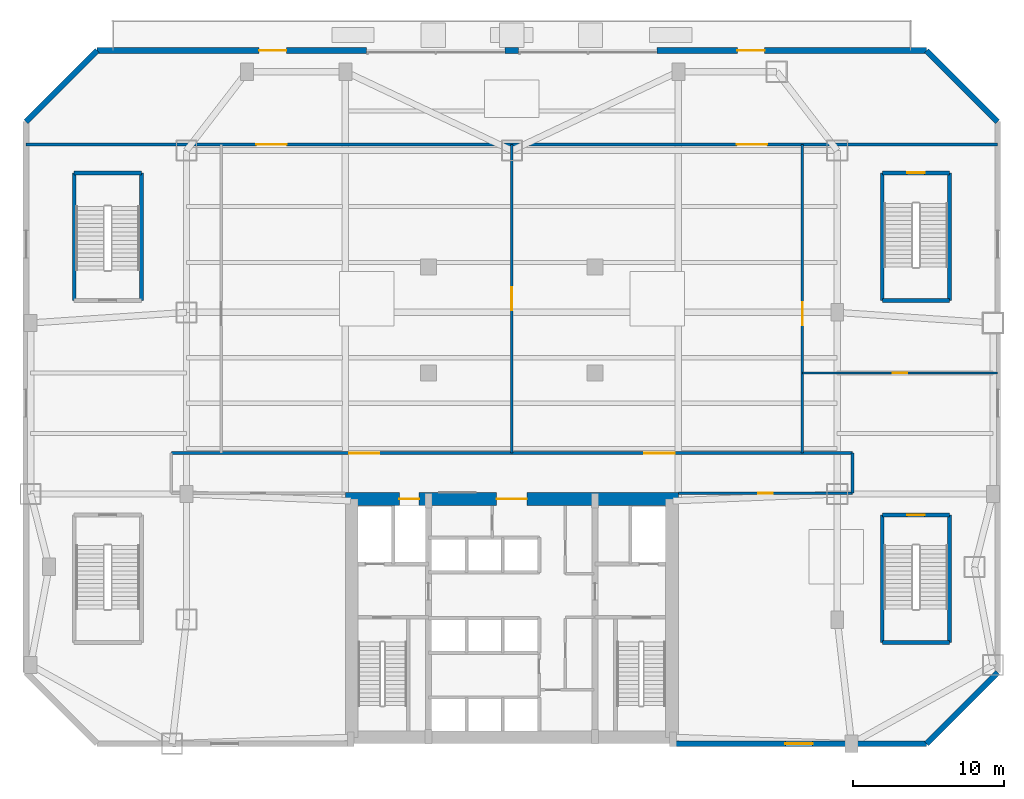
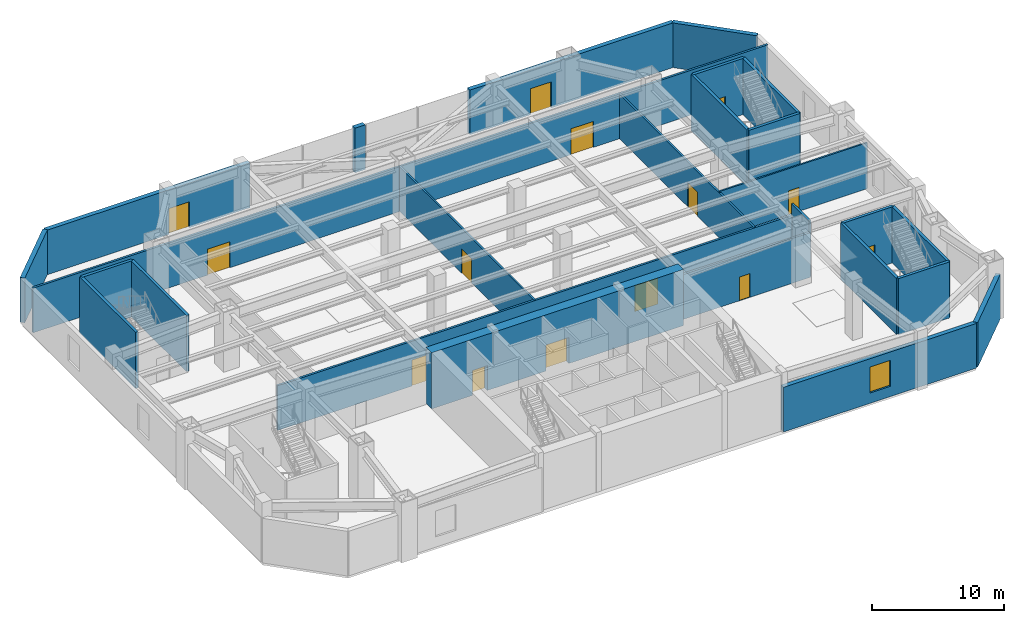
# One storey, part 5 of 9: 26 walls, 14 doors, 1 window, 15 openings.
"""IFC4 building model written with IfcOpenShell, lengths in metres."""

from ifc_helpers import new_model, si_unit, direction, frame, frame_2d, origin, place, context, subcontext, project, spatial, rectangle, extrude, source, transform, mapped, material, layer, layer_set, type_object, type_shapes, element, fill, save


model = new_model("IFC4")

# Units and contexts
model_context = context("Model", 3, precision=1e-05, world=origin(), true_north=direction((0.0, 1.0)))
body_context = subcontext(model_context, "Body", "Model", "MODEL_VIEW")
ifc_project = project(units=[si_unit("LENGTHUNIT", "METRE"), si_unit("AREAUNIT", "SQUARE_METRE"), si_unit("VOLUMEUNIT", "CUBIC_METRE"), si_unit("PLANEANGLEUNIT", "RADIAN"), si_unit("MASSUNIT", "GRAM", prefix="KILO")], contexts=[model_context])

# Site, building, storey
site_placement = place(None, origin())
site = spatial("IfcSite", under=ifc_project, at=site_placement, CompositionType="ELEMENT")
building_placement = place(site_placement, origin())
building = spatial("IfcBuilding", under=site, at=building_placement, Name="Varnakhor Terracotta Tower", CompositionType="ELEMENT")
storey_placement = place(building_placement, frame((0.0, 0.0, 11.0)))
storey = spatial("IfcBuildingStorey", under=building, at=storey_placement, Name="L02", CompositionType="ELEMENT", Elevation=11.0)

# Wall, openings, doors
ifc_material_1 = material(Name="Concrete C60/75", Category="concrete")
ifc_layer_1 = layer(ifc_material_1, 0.85009765625, Name="Concrete C60/75")
ifc_layer_set_1 = layer_set([ifc_layer_1], Name="Concrete C60/75")
wall_type_1 = type_object("IfcWallType", Name="WAL-CORE-850", PredefinedType="SHEAR", material=ifc_layer_set_1)
wall_1_placement = place(storey_placement, frame((-11.0, 16.175048828125, 0.0), z_axis=(0.0, 0.0, 1.0), x_axis=(1.0, 0.0, 0.0)))
wall_1 = element("IfcWall", 1, at=wall_1_placement, inside=storey, type_object=wall_type_1, Name="L02 North Core Shear Wall", PredefinedType="SHEAR", context=body_context, shape_type="SweptSolid", body=[
    extrude(rectangle(XDim=22.0, YDim=0.85009765625, at=frame_2d((11.0, 0.0))), origin(), (0.0, 0.0, 1.0), 5.18505859375),
])
opening_1_placement = place(wall_1_placement, frame((3.570068359375, 0.0, 0.0)))
opening_1 = element("IfcOpeningElement", 2, at=opening_1_placement, cuts=wall_1, Name="Opening LD-03", PredefinedType="OPENING", context=body_context, shape_type="SweptSolid", body=[
    extrude(rectangle(XDim=1.300048828125, YDim=2.300048828125, at=frame_2d((0.64990234375, 1.14990234375))), frame((0.0, 0.43505859375, 0.0), z_axis=(0.0, -1.0, 0.0), x_axis=(1.0, 0.0, 0.0)), (0.0, 0.0, 1.0), 0.8701171875),
])
opening_2_placement = place(wall_1_placement, frame((10.0, 0.0, 0.0)))
opening_2 = element("IfcOpeningElement", 3, at=opening_2_placement, cuts=wall_1, Name="Opening DR-32", PredefinedType="OPENING", context=body_context, shape_type="SweptSolid", body=[
    extrude(rectangle(XDim=2.0, YDim=2.39990234375, at=frame_2d((1.0, 1.199951171875))), frame((0.0, 0.43505859375, 0.0), z_axis=(0.0, -1.0, 0.0), x_axis=(1.0, 0.0, 0.0)), (0.0, 0.0, 1.0), 0.8701171875),
])
ifc_material_2 = material(Name="Heavy-Duty Goods Sliding Lift Landing Door", Category="steel")
door_type_1 = type_object("IfcDoorType", Name="LD-SRV-1300X2300", OperationType="NOTDEFINED", PredefinedType="DOOR", material=ifc_material_2)
shared_shape_1 = source(origin(), body_context, "Body", "SweptSolid", [
    extrude(rectangle(XDim=1.300048828125, YDim=2.300048828125, at=frame_2d((0.64990234375, 1.14990234375))), frame((0.0, 0.02490234375, 0.0), z_axis=(0.0, -1.0, 0.0), x_axis=(1.0, 0.0, 0.0)), (0.0, 0.0, 1.0), 0.050048828125),
])
type_shapes(door_type_1, [shared_shape_1])
door_1_placement = place(opening_1_placement, origin())
door_1 = element("IfcDoor", 4, at=door_1_placement, inside=storey, type_object=door_type_1, Name="L02 Service Lift SVL-1 Landing Door", OperationType="SLIDING_TO_RIGHT", OverallHeight=2.300048828125, OverallWidth=1.300048828125, PredefinedType="DOOR", context=body_context, shape_type="MappedRepresentation", body=[
    mapped(shared_shape_1, transform((0.0, 0.0, 0.0), scale=1.0)),
])
fill(opening_1, door_1)
ifc_material_3 = material(Name="Acoustic Double Assembly Fire Door", Category="wood")
door_type_2 = type_object("IfcDoorType", Name="DR-HALL-2000X2400", OperationType="NOTDEFINED", PredefinedType="DOOR", material=ifc_material_3)
shared_shape_2 = source(origin(), body_context, "Body", "SweptSolid", [
    extrude(rectangle(XDim=2.0, YDim=2.39990234375, at=frame_2d((1.0, 1.199951171875))), frame((0.0, 0.02490234375, 0.0), z_axis=(0.0, -1.0, 0.0), x_axis=(1.0, 0.0, 0.0)), (0.0, 0.0, 1.0), 0.050048828125),
])
type_shapes(door_type_2, [shared_shape_2])
door_2_placement = place(opening_2_placement, origin())
door_2 = element("IfcDoor", 5, at=door_2_placement, inside=storey, type_object=door_type_2, Name="L02 Core Main Lobby Double Door", OperationType="DOUBLE_DOOR_SINGLE_SWING", OverallHeight=2.39990234375, OverallWidth=2.0, PredefinedType="DOOR", context=body_context, shape_type="MappedRepresentation", body=[
    mapped(shared_shape_2, transform((0.0, 0.0, 0.0), scale=1.0)),
])
fill(opening_2, door_2)

ifc_material_4 = material(Name="Fire-Rated Gypsum Stud Partition", Category="gypsum")
ifc_layer_2 = layer(ifc_material_4, 0.18505859375, Name="Fire-Rated Gypsum Stud Partition")
ifc_layer_set_2 = layer_set([ifc_layer_2], Name="Fire-Rated Gypsum Stud Partition")
wall_type_2 = type_object("IfcWallType", Name="WAL-CORR-185", PredefinedType="PARTITIONING", material=ifc_layer_set_2)
wall_2_placement = place(storey_placement, frame((-32.090087890625, 39.60009765625, 0.0), z_axis=(0.0, 0.0, 1.0), x_axis=(1.0, 0.0, 0.0)))
wall_2 = element("IfcWall", 6, at=wall_2_placement, inside=storey, type_object=wall_type_2, Name="L02 Pre-Function Lounge Wall", PredefinedType="PARTITIONING", context=body_context, shape_type="SweptSolid", body=[
    extrude(rectangle(XDim=64.18017578125, YDim=0.18505859375, at=frame_2d((32.090087890625, 0.0))), origin(), (0.0, 0.0, 1.0), 4.136962890625),
])
opening_3_placement = place(wall_2_placement, frame((15.215087890625, 0.0, 0.0)))
opening_3 = element("IfcOpeningElement", 7, at=opening_3_placement, cuts=wall_2, Name="Opening DR-32", PredefinedType="OPENING", context=body_context, shape_type="SweptSolid", body=[
    extrude(rectangle(XDim=2.0, YDim=2.39990234375, at=frame_2d((1.0, 1.199951171875))), frame((0.0, 0.1025390625, 0.0), z_axis=(0.0, -1.0, 0.0), x_axis=(1.0, 0.0, 0.0)), (0.0, 0.0, 1.0), 0.205078125),
])
opening_4_placement = place(wall_2_placement, frame((46.965087890625, 0.0, 0.0)))
opening_4 = element("IfcOpeningElement", 8, at=opening_4_placement, cuts=wall_2, Name="Opening DR-32", PredefinedType="OPENING", context=body_context, shape_type="SweptSolid", body=[
    extrude(rectangle(XDim=2.0, YDim=2.39990234375, at=frame_2d((1.0, 1.199951171875))), frame((0.0, 0.1025390625, 0.0), z_axis=(0.0, -1.0, 0.0), x_axis=(1.0, 0.0, 0.0)), (0.0, 0.0, 1.0), 0.205078125),
])
door_3_placement = place(opening_3_placement, origin())
door_3 = element("IfcDoor", 9, at=door_3_placement, inside=storey, type_object=door_type_2, Name="L02 Hall North Door W", OperationType="DOUBLE_DOOR_SINGLE_SWING", OverallHeight=2.39990234375, OverallWidth=2.0, PredefinedType="DOOR", context=body_context, shape_type="MappedRepresentation", body=[
    mapped(shared_shape_2, transform((0.0, 0.0, 0.0), scale=1.0)),
])
fill(opening_3, door_3)
door_4_placement = place(opening_4_placement, origin())
door_4 = element("IfcDoor", 10, at=door_4_placement, inside=storey, type_object=door_type_2, Name="L02 Hall North Door E", OperationType="DOUBLE_DOOR_SINGLE_SWING", OverallHeight=2.39990234375, OverallWidth=2.0, PredefinedType="DOOR", context=body_context, shape_type="MappedRepresentation", body=[
    mapped(shared_shape_2, transform((0.0, 0.0, 0.0), scale=1.0)),
])
fill(opening_4, door_4)

wall_3_placement = place(storey_placement, frame((-22.5, 19.199951171875, 0.0), z_axis=(0.0, 0.0, 1.0), x_axis=(1.0, 0.0, 0.0)))
wall_3 = element("IfcWall", 11, at=wall_3_placement, inside=storey, type_object=wall_type_2, Name="L02 South Assembly Corridor Wall", PredefinedType="PARTITIONING", context=body_context, shape_type="SweptSolid", body=[
    extrude(rectangle(XDim=45.0, YDim=0.18505859375, at=frame_2d((22.5, 0.0))), origin(), (0.0, 0.0, 1.0), 4.136962890625),
])
opening_5_placement = place(wall_3_placement, frame((11.74951171875, 0.0, 0.0)))
opening_5 = element("IfcOpeningElement", 12, at=opening_5_placement, cuts=wall_3, Name="Opening DR-32", PredefinedType="OPENING", context=body_context, shape_type="SweptSolid", body=[
    extrude(rectangle(XDim=2.0, YDim=2.39990234375, at=frame_2d((1.0, 1.199951171875))), frame((0.0, 0.1025390625, 0.0), z_axis=(0.0, -1.0, 0.0), x_axis=(1.0, 0.0, 0.0)), (0.0, 0.0, 1.0), 0.205078125),
])
opening_6_placement = place(wall_3_placement, frame((31.25048828125, 0.0, 0.0)))
opening_6 = element("IfcOpeningElement", 13, at=opening_6_placement, cuts=wall_3, Name="Opening DR-32", PredefinedType="OPENING", context=body_context, shape_type="SweptSolid", body=[
    extrude(rectangle(XDim=2.0, YDim=2.39990234375, at=frame_2d((1.0, 1.199951171875))), frame((0.0, 0.1025390625, 0.0), z_axis=(0.0, -1.0, 0.0), x_axis=(1.0, 0.0, 0.0)), (0.0, 0.0, 1.0), 0.205078125),
])
door_5_placement = place(opening_5_placement, origin())
door_5 = element("IfcDoor", 14, at=door_5_placement, inside=storey, type_object=door_type_2, Name="L02 Hall South Door W", OperationType="DOUBLE_DOOR_SINGLE_SWING", OverallHeight=2.39990234375, OverallWidth=2.0, PredefinedType="DOOR", context=body_context, shape_type="MappedRepresentation", body=[
    mapped(shared_shape_2, transform((0.0, 0.0, 0.0), scale=1.0)),
])
fill(opening_5, door_5)
door_6_placement = place(opening_6_placement, origin())
door_6 = element("IfcDoor", 15, at=door_6_placement, inside=storey, type_object=door_type_2, Name="L02 Hall South Door E", OperationType="DOUBLE_DOOR_SINGLE_SWING", OverallHeight=2.39990234375, OverallWidth=2.0, PredefinedType="DOOR", context=body_context, shape_type="MappedRepresentation", body=[
    mapped(shared_shape_2, transform((0.0, 0.0, 0.0), scale=1.0)),
])
fill(opening_6, door_6)

# Wall
wall_4_placement = place(storey_placement, frame((22.5, 16.550048828125, 0.0), z_axis=(0.0, 0.0, 1.0), x_axis=(0.0, 1.0, 0.0)))
element("IfcWall", 16, at=wall_4_placement, inside=storey, type_object=wall_type_2, Name="L02 South Corridor East End Wall", PredefinedType="PARTITIONING", context=body_context, shape_type="SweptSolid", body=[
    extrude(rectangle(XDim=2.64990234375, YDim=0.18505859375, at=frame_2d((1.324951171875, 0.0))), origin(), (0.0, 0.0, 1.0), 5.177001953125),
])

# Wall, opening, door
wall_5_placement = place(storey_placement, frame((11.02001953125, 16.550048828125, 0.0), z_axis=(0.0, 0.0, 1.0), x_axis=(1.0, 0.0, 0.0)))
wall_5 = element("IfcWall", 17, at=wall_5_placement, inside=storey, type_object=wall_type_2, Name="L02 South East Suite Wall", PredefinedType="PARTITIONING", context=body_context, shape_type="SweptSolid", body=[
    extrude(rectangle(XDim=11.47998046875, YDim=0.18505859375, at=frame_2d((5.739990234375, 0.0))), origin(), (0.0, 0.0, 1.0), 4.136962890625),
])
opening_7_placement = place(wall_5_placement, frame((5.264892578125, 0.0, 0.0)))
opening_7 = element("IfcOpeningElement", 18, at=opening_7_placement, cuts=wall_5, Name="Opening DR-94", PredefinedType="OPENING", context=body_context, shape_type="SweptSolid", body=[
    extrude(rectangle(XDim=0.949951171875, YDim=2.199951171875, at=frame_2d((0.47509765625, 1.10009765625))), frame((0.0, 0.1025390625, 0.0), z_axis=(0.0, -1.0, 0.0), x_axis=(1.0, 0.0, 0.0)), (0.0, 0.0, 1.0), 0.205078125),
])
ifc_material_5 = material(Name="Acoustic Glazed-Vision Timber Office Door", Category="wood")
door_type_3 = type_object("IfcDoorType", Name="DR-OFF-950X2200", OperationType="NOTDEFINED", PredefinedType="DOOR", material=ifc_material_5)
shared_shape_3 = source(origin(), body_context, "Body", "SweptSolid", [
    extrude(rectangle(XDim=0.949951171875, YDim=2.199951171875, at=frame_2d((0.47509765625, 1.10009765625))), frame((0.0, 0.02490234375, 0.0), z_axis=(0.0, -1.0, 0.0), x_axis=(1.0, 0.0, 0.0)), (0.0, 0.0, 1.0), 0.050048828125),
])
type_shapes(door_type_3, [shared_shape_3])
door_7_placement = place(opening_7_placement, origin())
door_7 = element("IfcDoor", 19, at=door_7_placement, inside=storey, type_object=door_type_3, Name="L02 SE Suite Door", OperationType="SINGLE_SWING_LEFT", OverallHeight=2.199951171875, OverallWidth=0.949951171875, PredefinedType="DOOR", context=body_context, shape_type="MappedRepresentation", body=[
    mapped(shared_shape_3, transform((0.0, 0.0, 0.0), scale=1.0)),
])
fill(opening_7, door_7)

# Walls
ifc_material_6 = material(Name="Honed Riyadh Limestone Assembly", Category="masonry")
ifc_layer_3 = layer(ifc_material_6, 0.3798828125, Name="Honed Riyadh Limestone Assembly")
ifc_layer_set_3 = layer_set([ifc_layer_3], Name="Honed Riyadh Limestone Assembly")
wall_type_3 = type_object("IfcWallType", Name="WAL-EXT-LIMESTONE-380", PredefinedType="SOLIDWALL", material=ifc_layer_set_3)
wall_6_placement = place(storey_placement, frame((-32.10009765625, 41.10009765625, 0.0), z_axis=(0.0, 0.0, 1.0), x_axis=(0.707125145927, 0.707088415969, 0.0)))
element("IfcWall", 20, at=wall_6_placement, inside=storey, type_object=wall_type_3, Name="L02 Podium Chamfer Limestone Wall 2", PredefinedType="SOLIDWALL", context=body_context, shape_type="SweptSolid", body=[
    extrude(rectangle(XDim=6.64697265625, YDim=0.3798828125, at=frame_2d((3.323486328125, 0.0))), origin(), (0.0, 0.0, 1.0), 4.125),
])
wall_7_placement = place(storey_placement, frame((-0.449951171875, 45.800048828125, 0.0), z_axis=(0.0, 0.0, 1.0), x_axis=(1.0, 0.0, 0.0)))
element("IfcWall", 21, at=wall_7_placement, inside=storey, type_object=wall_type_3, Name="L02 North Central Stone Pier", PredefinedType="SOLIDWALL", context=body_context, shape_type="SweptSolid", body=[
    extrude(rectangle(XDim=0.89990234375, YDim=0.3798828125, at=frame_2d((0.449951171875, 0.0))), origin(), (0.0, 0.0, 1.0), 4.125),
])

# Wall, opening, door
wall_8_placement = place(storey_placement, frame((-27.39990234375, 45.800048828125, 0.0), z_axis=(0.0, 0.0, 1.0), x_axis=(1.0, 0.0, 0.0)))
wall_8 = element("IfcWall", 22, at=wall_8_placement, inside=storey, type_object=wall_type_3, Name="L02 North Podium Wall NW", PredefinedType="SOLIDWALL", context=body_context, shape_type="SweptSolid", body=[
    extrude(rectangle(XDim=17.7998046875, YDim=0.3798828125, at=frame_2d((8.89990234375, 0.0))), origin(), (0.0, 0.0, 1.0), 4.125),
])
opening_8_placement = place(wall_8_placement, frame((10.699951171875, 0.0, 0.0)))
opening_8 = element("IfcOpeningElement", 23, at=opening_8_placement, cuts=wall_8, Name="Opening DR-18", PredefinedType="OPENING", context=body_context, shape_type="SweptSolid", body=[
    extrude(rectangle(XDim=1.800048828125, YDim=2.39990234375, at=frame_2d((0.89990234375, 1.199951171875))), frame((0.0, 0.199951171875, 0.0), z_axis=(0.0, -1.0, 0.0), x_axis=(1.0, 0.0, 0.0)), (0.0, 0.0, 1.0), 0.39990234375),
])
ifc_material_7 = material(Name="Weather-Sealed Low-E Double Terrace Door", Category="aluminium")
door_type_4 = type_object("IfcDoorType", Name="DR-EXT-TERR-1800X2400", OperationType="NOTDEFINED", PredefinedType="DOOR", material=ifc_material_7)
shared_shape_4 = source(origin(), body_context, "Body", "SweptSolid", [
    extrude(rectangle(XDim=1.800048828125, YDim=2.39990234375, at=frame_2d((0.89990234375, 1.199951171875))), frame((0.0, 0.02490234375, 0.0), z_axis=(0.0, -1.0, 0.0), x_axis=(1.0, 0.0, 0.0)), (0.0, 0.0, 1.0), 0.050048828125),
])
type_shapes(door_type_4, [shared_shape_4])
door_8_placement = place(opening_8_placement, origin())
door_8 = element("IfcDoor", 24, at=door_8_placement, inside=storey, type_object=door_type_4, Name="L02 Garden Terrace Access Door NW", OperationType="DOUBLE_DOOR_SINGLE_SWING", OverallHeight=2.39990234375, OverallWidth=1.800048828125, PredefinedType="DOOR", context=body_context, shape_type="MappedRepresentation", body=[
    mapped(shared_shape_4, transform((0.0, 0.0, 0.0), scale=1.0)),
])
fill(opening_8, door_8)

wall_9_placement = place(storey_placement, frame((9.60009765625, 45.800048828125, 0.0), z_axis=(0.0, 0.0, 1.0), x_axis=(1.0, 0.0, 0.0)))
wall_9 = element("IfcWall", 25, at=wall_9_placement, inside=storey, type_object=wall_type_3, Name="L02 North Podium Wall NE", PredefinedType="SOLIDWALL", context=body_context, shape_type="SweptSolid", body=[
    extrude(rectangle(XDim=17.7998046875, YDim=0.3798828125, at=frame_2d((8.89990234375, 0.0))), origin(), (0.0, 0.0, 1.0), 4.125),
])
opening_9_placement = place(wall_9_placement, frame((5.300048828125, 0.0, 0.0)))
opening_9 = element("IfcOpeningElement", 26, at=opening_9_placement, cuts=wall_9, Name="Opening DR-18", PredefinedType="OPENING", context=body_context, shape_type="SweptSolid", body=[
    extrude(rectangle(XDim=1.800048828125, YDim=2.39990234375, at=frame_2d((0.89990234375, 1.199951171875))), frame((0.0, 0.199951171875, 0.0), z_axis=(0.0, -1.0, 0.0), x_axis=(1.0, 0.0, 0.0)), (0.0, 0.0, 1.0), 0.39990234375),
])
door_9_placement = place(opening_9_placement, origin())
door_9 = element("IfcDoor", 27, at=door_9_placement, inside=storey, type_object=door_type_4, Name="L02 Garden Terrace Access Door NE", OperationType="DOUBLE_DOOR_SINGLE_SWING", OverallHeight=2.39990234375, OverallWidth=1.800048828125, PredefinedType="DOOR", context=body_context, shape_type="MappedRepresentation", body=[
    mapped(shared_shape_4, transform((0.0, 0.0, 0.0), scale=1.0)),
])
fill(opening_9, door_9)

# Walls
for number, where, z_axis, x_axis, name in (
    (28, (27.39990234375, 45.800048828125, 0.0), (0.0, 0.0, 1.0), (0.707125145927, -0.707088415969, 0.0), "L02 Podium Chamfer Limestone Wall 4"),
    (29, (32.10009765625, 4.699951171875, 0.0), (0.0, 0.0, 1.0), (-0.707125145927, -0.707088415969, 0.0), "L02 Podium Chamfer Limestone Wall 6"),
):
    element("IfcWall", number, at=place(storey_placement, frame(where, z_axis=z_axis, x_axis=x_axis)), inside=storey, type_object=wall_type_3, Name=name, PredefinedType="SOLIDWALL", context=body_context, shape_type="SweptSolid", body=[
        extrude(rectangle(XDim=6.64697265625, YDim=0.3798828125, at=frame_2d((3.323486328125, 0.0))), origin(), (0.0, 0.0, 1.0), 4.125),
    ])

# Wall, opening, window
wall_10_placement = place(storey_placement, frame((27.39990234375, 0.0, 0.0), z_axis=(0.0, 0.0, 1.0), x_axis=(-1.0, 0.0, 0.0)))
wall_10 = element("IfcWall", 30, at=wall_10_placement, inside=storey, type_object=wall_type_3, Name="L02 Limestone Podium Wall SE", PredefinedType="SOLIDWALL", context=body_context, shape_type="SweptSolid", body=[
    extrude(rectangle(XDim=16.849853515625, YDim=0.3798828125, at=frame_2d((8.4248046875, 0.0))), origin(), (0.0, 0.0, 1.0), 4.125),
])
opening_10_placement = place(wall_10_placement, frame((7.52490234375, 0.0, 0.949951171875)))
opening_10 = element("IfcOpeningElement", 31, at=opening_10_placement, cuts=wall_10, Name="Opening WN-19", PredefinedType="OPENING", context=body_context, shape_type="SweptSolid", body=[
    extrude(rectangle(XDim=1.800048828125, YDim=2.39990234375, at=frame_2d((0.89990234375, 1.199951171875))), frame((0.0, 0.199951171875, 0.0), z_axis=(0.0, -1.0, 0.0), x_axis=(1.0, 0.0, 0.0)), (0.0, 0.0, 1.0), 0.39990234375),
])
ifc_material_8 = material(Name="Solar-Control Low-E Insulated Glass Unit", Category="glass")
window_type = type_object("IfcWindowType", Name="WIN-POD-1800X2400", PartitioningType="SINGLE_PANEL", PredefinedType="WINDOW", material=ifc_material_8)
shared_shape_5 = source(origin(), body_context, "Body", "SweptSolid", [
    extrude(rectangle(XDim=1.800048828125, YDim=2.39990234375, at=frame_2d((0.89990234375, 1.199951171875))), frame((0.0, 0.030029296875, 0.0), z_axis=(0.0, -1.0, 0.0), x_axis=(1.0, 0.0, 0.0)), (0.0, 0.0, 1.0), 0.06005859375),
])
type_shapes(window_type, [shared_shape_5])
window_placement = place(opening_10_placement, origin())
window = element("IfcWindow", 32, at=window_placement, inside=storey, type_object=window_type, Name="L02 Podium Window SE", OverallHeight=2.39990234375, OverallWidth=1.800048828125, PartitioningType="SINGLE_PANEL", PredefinedType="WINDOW", context=body_context, shape_type="MappedRepresentation", body=[
    mapped(shared_shape_5, transform((0.0, 0.0, 0.0), scale=1.0)),
])
fill(opening_10, window)

# Wall, opening, door
ifc_material_9 = material(Name="Acoustic Operable Panel Partition", Category="metal")
ifc_layer_4 = layer(ifc_material_9, 0.155029296875, Name="Acoustic Operable Panel Partition")
ifc_layer_set_4 = layer_set([ifc_layer_4], Name="Acoustic Operable Panel Partition")
wall_type_4 = type_object("IfcWallType", Name="WAL-OPERABLE-155", PredefinedType="MOVABLE", material=ifc_layer_set_4)
wall_11_placement = place(storey_placement, frame((0.0, 19.199951171875, 0.0), z_axis=(0.0, 0.0, 1.0), x_axis=(0.0, 1.0, 0.0)))
wall_11 = element("IfcWall", 33, at=wall_11_placement, inside=storey, type_object=wall_type_4, Name="L02 Operable Hall Partition", PredefinedType="MOVABLE", context=body_context, shape_type="SweptSolid", body=[
    extrude(rectangle(XDim=20.400146484375, YDim=0.155029296875, at=frame_2d((10.2001953125, 0.0))), origin(), (0.0, 0.0, 1.0), 4.136962890625),
])
opening_11_placement = place(wall_11_placement, frame((9.449951171875, 0.0, 0.0)))
opening_11 = element("IfcOpeningElement", 34, at=opening_11_placement, cuts=wall_11, Name="Opening DR-30", PredefinedType="OPENING", context=body_context, shape_type="SweptSolid", body=[
    extrude(rectangle(XDim=1.5, YDim=2.25, at=frame_2d((0.75, 1.125))), frame((0.0, 0.08740234375, 0.0), z_axis=(0.0, -1.0, 0.0), x_axis=(1.0, 0.0, 0.0)), (0.0, 0.0, 1.0), 0.175048828125),
])
ifc_material_10 = material(Name="Double Acoustic Conference Room Door", Category="wood")
door_type_5 = type_object("IfcDoorType", Name="DR-MEET-1500X2250", OperationType="NOTDEFINED", PredefinedType="DOOR", material=ifc_material_10)
shared_shape_6 = source(origin(), body_context, "Body", "SweptSolid", [
    extrude(rectangle(XDim=1.5, YDim=2.25, at=frame_2d((0.75, 1.125))), frame((0.0, 0.02490234375, 0.0), z_axis=(0.0, -1.0, 0.0), x_axis=(1.0, 0.0, 0.0)), (0.0, 0.0, 1.0), 0.050048828125),
])
type_shapes(door_type_5, [shared_shape_6])
door_10_placement = place(opening_11_placement, origin())
door_10 = element("IfcDoor", 35, at=door_10_placement, inside=storey, type_object=door_type_5, Name="L02 Operable Hall Door", OperationType="DOUBLE_DOOR_SINGLE_SWING", OverallHeight=2.25, OverallWidth=1.5, PredefinedType="DOOR", context=body_context, shape_type="MappedRepresentation", body=[
    mapped(shared_shape_6, transform((0.0, 0.0, 0.0), scale=1.0)),
])
fill(opening_11, door_10)

ifc_material_11 = material(Name="Acoustic Metal-Stud Partition", Category="gypsum")
ifc_layer_5 = layer(ifc_material_11, 0.139892578125, Name="Acoustic Metal-Stud Partition")
ifc_layer_set_5 = layer_set([ifc_layer_5], Name="Acoustic Metal-Stud Partition")
wall_type_5 = type_object("IfcWallType", Name="WAL-PART-140", PredefinedType="PARTITIONING", material=ifc_layer_set_5)
wall_12_placement = place(storey_placement, frame((19.199951171875, 24.5, 0.0), z_axis=(0.0, 0.0, 1.0), x_axis=(1.0, 0.0, 0.0)))
wall_12 = element("IfcWall", 36, at=wall_12_placement, inside=storey, type_object=wall_type_5, Name="L02 East Breakout Split", PredefinedType="PARTITIONING", context=body_context, shape_type="SweptSolid", body=[
    extrude(rectangle(XDim=12.89013671875, YDim=0.139892578125, at=frame_2d((6.445068359375, 0.0))), origin(), (0.0, 0.0, 1.0), 4.25),
])
opening_12_placement = place(wall_12_placement, frame((5.969970703125, 0.0, 0.0)))
opening_12 = element("IfcOpeningElement", 37, at=opening_12_placement, cuts=wall_12, Name="Opening DR-94", PredefinedType="OPENING", context=body_context, shape_type="SweptSolid", body=[
    extrude(rectangle(XDim=0.949951171875, YDim=2.199951171875, at=frame_2d((0.47509765625, 1.10009765625))), frame((0.0, 0.080078125, 0.0), z_axis=(0.0, -1.0, 0.0), x_axis=(1.0, 0.0, 0.0)), (0.0, 0.0, 1.0), 0.159912109375),
])
door_11_placement = place(opening_12_placement, origin())
door_11 = element("IfcDoor", 38, at=door_11_placement, inside=storey, type_object=door_type_3, Name="Meeting Room Door", OperationType="SINGLE_SWING_RIGHT", OverallHeight=2.199951171875, OverallWidth=0.949951171875, PredefinedType="DOOR", context=body_context, shape_type="MappedRepresentation", body=[
    mapped(shared_shape_3, transform((0.0, 0.0, 0.0), scale=1.0)),
])
fill(opening_12, door_11)

# Walls
ifc_material_12 = material(Name="Concrete C40/50", Category="concrete")
ifc_layer_6 = layer(ifc_material_12, 0.25, Name="Concrete C40/50")
ifc_layer_set_6 = layer_set([ifc_layer_6], Name="Concrete C40/50")
wall_type_6 = type_object("IfcWallType", Name="WAL-SHAFT-250", PredefinedType="SOLIDWALL", material=ifc_layer_set_6)
for number, where, z_axis, x_axis, name in (
    (39, (24.47998046875, 6.679931640625, 0.0), (0.0, 0.0, 1.0), (0.0, 1.0, 0.0), "L02 ST-P2 Bearing Shaft Wall W"),
    (40, (28.919921875, 6.679931640625, 0.0), (0.0, 0.0, 1.0), (0.0, 1.0, 0.0), "L02 ST-P2 Bearing Shaft Wall E"),
):
    element("IfcWall", number, at=place(storey_placement, frame(where, z_axis=z_axis, x_axis=x_axis)), inside=storey, type_object=wall_type_6, Name=name, PredefinedType="SOLIDWALL", context=body_context, shape_type="SweptSolid", body=[
        extrude(rectangle(XDim=8.440185546875, YDim=0.25, at=frame_2d((4.22021484375, 0.0))), origin(), (0.0, 0.0, 1.0), 5.18505859375),
    ])
wall_13_placement = place(storey_placement, frame((24.47998046875, 6.679931640625, 0.0), z_axis=(0.0, 0.0, 1.0), x_axis=(1.0, 0.0, 0.0)))
element("IfcWall", 41, at=wall_13_placement, inside=storey, type_object=wall_type_6, Name="L02 ST-P2 Bearing Shaft Wall S", PredefinedType="SOLIDWALL", context=body_context, shape_type="SweptSolid", body=[
    extrude(rectangle(XDim=4.43994140625, YDim=0.25, at=frame_2d((2.219970703125, 0.0))), origin(), (0.0, 0.0, 1.0), 5.18505859375),
])

# Wall, opening, door
wall_14_placement = place(storey_placement, frame((28.919921875, 15.1201171875, 0.0), z_axis=(0.0, 0.0, 1.0), x_axis=(-1.0, 0.0, 0.0)))
wall_14 = element("IfcWall", 42, at=wall_14_placement, inside=storey, type_object=wall_type_6, Name="L02 ST-P2 Bearing Shaft Wall N", PredefinedType="SOLIDWALL", context=body_context, shape_type="SweptSolid", body=[
    extrude(rectangle(XDim=4.43994140625, YDim=0.25, at=frame_2d((2.219970703125, 0.0))), origin(), (0.0, 0.0, 1.0), 5.18505859375),
])
opening_13_placement = place(wall_14_placement, frame((1.64501953125, 0.0, 0.0)))
opening_13 = element("IfcOpeningElement", 43, at=opening_13_placement, cuts=wall_14, Name="Opening DR-34", PredefinedType="OPENING", context=body_context, shape_type="SweptSolid", body=[
    extrude(rectangle(XDim=1.14990234375, YDim=2.199951171875, at=frame_2d((0.574951171875, 1.10009765625))), frame((0.0, 0.135009765625, 0.0), z_axis=(0.0, -1.0, 0.0), x_axis=(1.0, 0.0, 0.0)), (0.0, 0.0, 1.0), 0.27001953125),
])
ifc_material_13 = material(Name="Self-Closing Smoke-Sealed Steel Fire Door", Category="steel")
door_type_6 = type_object("IfcDoorType", Name="DR-STAIR-1150X2200", OperationType="NOTDEFINED", PredefinedType="DOOR", material=ifc_material_13)
shared_shape_7 = source(origin(), body_context, "Body", "SweptSolid", [
    extrude(rectangle(XDim=1.14990234375, YDim=2.199951171875, at=frame_2d((0.574951171875, 1.10009765625))), frame((0.0, 0.02490234375, 0.0), z_axis=(0.0, -1.0, 0.0), x_axis=(1.0, 0.0, 0.0)), (0.0, 0.0, 1.0), 0.050048828125),
])
type_shapes(door_type_6, [shared_shape_7])
door_12_placement = place(opening_13_placement, origin())
door_12 = element("IfcDoor", 44, at=door_12_placement, inside=storey, type_object=door_type_6, Name="L02 Exit Stair ST-P2 Fire Door", OperationType="SINGLE_SWING_LEFT", OverallHeight=2.199951171875, OverallWidth=1.14990234375, PredefinedType="DOOR", context=body_context, shape_type="MappedRepresentation", body=[
    mapped(shared_shape_7, transform((0.0, 0.0, 0.0), scale=1.0)),
])
fill(opening_13, door_12)

# Walls
for number, where, z_axis, x_axis, name in (
    (45, (-28.919921875, 29.280029296875, 0.0), (0.0, 0.0, 1.0), (0.0, 1.0, 0.0), "L02 ST-P3 Bearing Shaft Wall W"),
    (46, (-24.47998046875, 29.280029296875, 0.0), (0.0, 0.0, 1.0), (0.0, 1.0, 0.0), "L02 ST-P3 Bearing Shaft Wall E"),
):
    element("IfcWall", number, at=place(storey_placement, frame(where, z_axis=z_axis, x_axis=x_axis)), inside=storey, type_object=wall_type_6, Name=name, PredefinedType="SOLIDWALL", context=body_context, shape_type="SweptSolid", body=[
        extrude(rectangle(XDim=8.43994140625, YDim=0.25, at=frame_2d((4.219970703125, 0.0))), origin(), (0.0, 0.0, 1.0), 5.18505859375),
    ])
wall_15_placement = place(storey_placement, frame((-24.47998046875, 37.719970703125, 0.0), z_axis=(0.0, 0.0, 1.0), x_axis=(-1.0, 0.0, 0.0)))
element("IfcWall", 47, at=wall_15_placement, inside=storey, type_object=wall_type_6, Name="L02 ST-P3 Bearing Shaft Wall N", PredefinedType="SOLIDWALL", context=body_context, shape_type="SweptSolid", body=[
    extrude(rectangle(XDim=4.43994140625, YDim=0.25, at=frame_2d((2.219970703125, 0.0))), origin(), (0.0, 0.0, 1.0), 5.18505859375),
])
for number, where, z_axis, x_axis, name in (
    (48, (24.47998046875, 29.280029296875, 0.0), (0.0, 0.0, 1.0), (0.0, 1.0, 0.0), "L02 ST-P4 Bearing Shaft Wall W"),
    (49, (28.919921875, 29.280029296875, 0.0), (0.0, 0.0, 1.0), (0.0, 1.0, 0.0), "L02 ST-P4 Bearing Shaft Wall E"),
):
    element("IfcWall", number, at=place(storey_placement, frame(where, z_axis=z_axis, x_axis=x_axis)), inside=storey, type_object=wall_type_6, Name=name, PredefinedType="SOLIDWALL", context=body_context, shape_type="SweptSolid", body=[
        extrude(rectangle(XDim=8.43994140625, YDim=0.25, at=frame_2d((4.219970703125, 0.0))), origin(), (0.0, 0.0, 1.0), 5.18505859375),
    ])
wall_16_placement = place(storey_placement, frame((24.47998046875, 29.280029296875, 0.0), z_axis=(0.0, 0.0, 1.0), x_axis=(1.0, 0.0, 0.0)))
element("IfcWall", 50, at=wall_16_placement, inside=storey, type_object=wall_type_6, Name="L02 ST-P4 Bearing Shaft Wall S", PredefinedType="SOLIDWALL", context=body_context, shape_type="SweptSolid", body=[
    extrude(rectangle(XDim=4.43994140625, YDim=0.25, at=frame_2d((2.219970703125, 0.0))), origin(), (0.0, 0.0, 1.0), 5.18505859375),
])

# Wall, opening, door
wall_17_placement = place(storey_placement, frame((28.919921875, 37.719970703125, 0.0), z_axis=(0.0, 0.0, 1.0), x_axis=(-1.0, 0.0, 0.0)))
wall_17 = element("IfcWall", 51, at=wall_17_placement, inside=storey, type_object=wall_type_6, Name="L02 ST-P4 Bearing Shaft Wall N", PredefinedType="SOLIDWALL", context=body_context, shape_type="SweptSolid", body=[
    extrude(rectangle(XDim=4.43994140625, YDim=0.25, at=frame_2d((2.219970703125, 0.0))), origin(), (0.0, 0.0, 1.0), 5.18505859375),
])
opening_14_placement = place(wall_17_placement, frame((1.64501953125, 0.0, 0.0)))
opening_14 = element("IfcOpeningElement", 52, at=opening_14_placement, cuts=wall_17, Name="Opening DR-34", PredefinedType="OPENING", context=body_context, shape_type="SweptSolid", body=[
    extrude(rectangle(XDim=1.14990234375, YDim=2.199951171875, at=frame_2d((0.574951171875, 1.10009765625))), frame((0.0, 0.135009765625, 0.0), z_axis=(0.0, -1.0, 0.0), x_axis=(1.0, 0.0, 0.0)), (0.0, 0.0, 1.0), 0.27001953125),
])
door_13_placement = place(opening_14_placement, origin())
door_13 = element("IfcDoor", 53, at=door_13_placement, inside=storey, type_object=door_type_6, Name="L02 Exit Stair ST-P4 Fire Door", OperationType="SINGLE_SWING_LEFT", OverallHeight=2.199951171875, OverallWidth=1.14990234375, PredefinedType="DOOR", context=body_context, shape_type="MappedRepresentation", body=[
    mapped(shared_shape_7, transform((0.0, 0.0, 0.0), scale=1.0)),
])
fill(opening_14, door_13)

ifc_material_14 = material(Name="Acoustic Fire-Rated Partition", Category="gypsum")
ifc_layer_7 = layer(ifc_material_14, 0.1650390625, Name="Acoustic Fire-Rated Partition")
ifc_layer_set_7 = layer_set([ifc_layer_7], Name="Acoustic Fire-Rated Partition")
wall_type_7 = type_object("IfcWallType", Name="WAL-TENANCY-165", PredefinedType="PARTITIONING", material=ifc_layer_set_7)
wall_18_placement = place(storey_placement, frame((19.199951171875, 19.199951171875, 0.0), z_axis=(0.0, 0.0, 1.0), x_axis=(0.0, 1.0, 0.0)))
wall_18 = element("IfcWall", 54, at=wall_18_placement, inside=storey, type_object=wall_type_7, Name="L02 Hall East Acoustic Wall", PredefinedType="PARTITIONING", context=body_context, shape_type="SweptSolid", body=[
    extrude(rectangle(XDim=20.400146484375, YDim=0.1650390625, at=frame_2d((10.2001953125, 0.0))), origin(), (0.0, 0.0, 1.0), 4.136962890625),
])
opening_15_placement = place(wall_18_placement, frame((8.464111328125, 0.0, 0.0)))
opening_15 = element("IfcOpeningElement", 55, at=opening_15_placement, cuts=wall_18, Name="Opening DR-30", PredefinedType="OPENING", context=body_context, shape_type="SweptSolid", body=[
    extrude(rectangle(XDim=1.5, YDim=2.25, at=frame_2d((0.75, 1.125))), frame((0.0, 0.092529296875, 0.0), z_axis=(0.0, -1.0, 0.0), x_axis=(1.0, 0.0, 0.0)), (0.0, 0.0, 1.0), 0.18505859375),
])
door_14_placement = place(opening_15_placement, origin())
door_14 = element("IfcDoor", 56, at=door_14_placement, inside=storey, type_object=door_type_5, Name="L02 East Suite Door", OperationType="DOUBLE_DOOR_SINGLE_SWING", OverallHeight=2.25, OverallWidth=1.5, PredefinedType="DOOR", context=body_context, shape_type="MappedRepresentation", body=[
    mapped(shared_shape_6, transform((0.0, 0.0, 0.0), scale=1.0)),
])
fill(opening_15, door_14)

save(model, "model.ifc")
